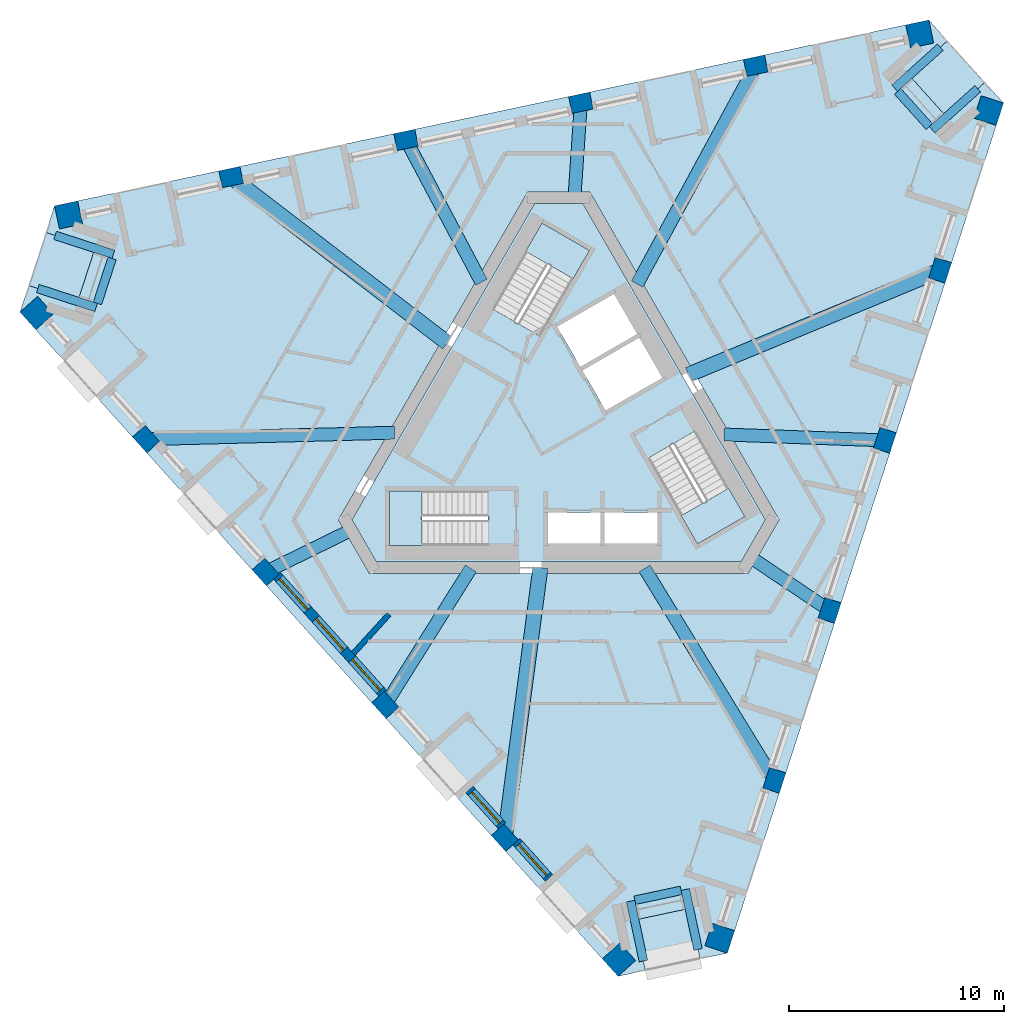
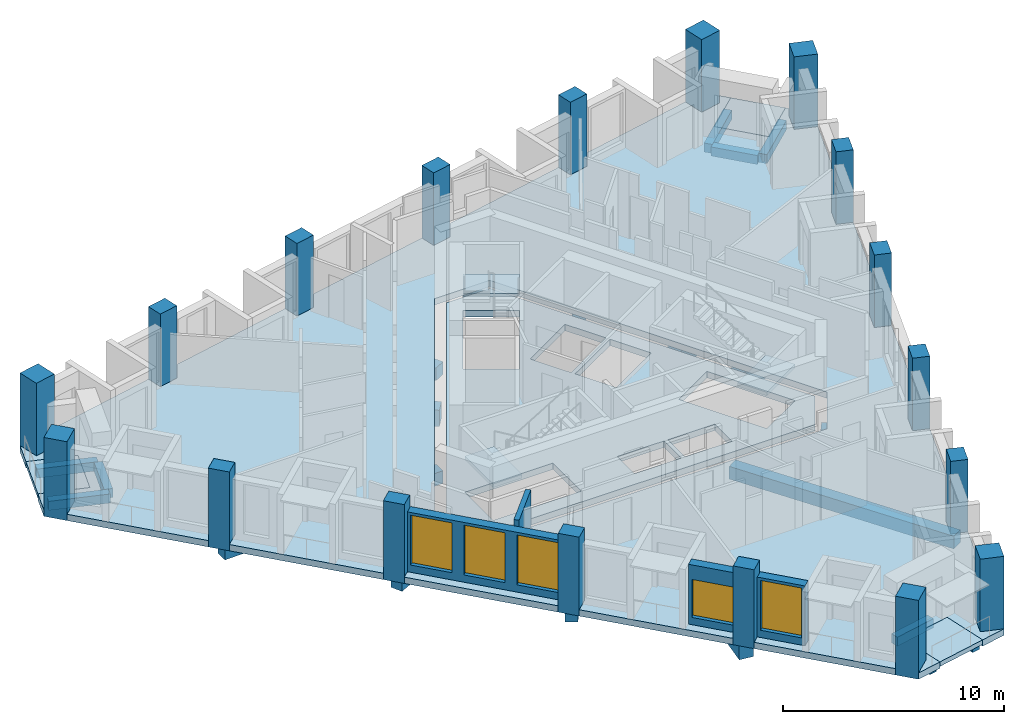
# One storey, part 1 of 12: 21 beams, 18 columns, 8 slabs, 5 windows, 4 walls, 5 openings, 3 elements without a shape of their own.
"""IFC4 building model written with IfcOpenShell, lengths in metres."""

from ifc_helpers import new_model, si_unit, direction, frame, frame_2d, origin, origin_2d, place, context, subcontext, project, spatial, polyline, rectangle, outline, extrude, material, layer, layer_set, material_profile, profile_set, type_object, element, fill, aggregate, save


model = new_model("IFC4")

# Units and contexts
model_context = context("Model", 3, precision=1e-05, world=origin(), true_north=direction((0.0, 1.0)))
body_context = subcontext(model_context, "Body", "Model", "MODEL_VIEW")
ifc_project = project(units=[si_unit("LENGTHUNIT", "METRE"), si_unit("AREAUNIT", "SQUARE_METRE"), si_unit("VOLUMEUNIT", "CUBIC_METRE"), si_unit("PLANEANGLEUNIT", "RADIAN"), si_unit("MASSUNIT", "GRAM", prefix="KILO")], contexts=[model_context])

# Site, building, storey
site_placement = place(None, origin())
site = spatial("IfcSite", under=ifc_project, at=site_placement, CompositionType="ELEMENT")
building_placement = place(site_placement, origin())
building = spatial("IfcBuilding", under=site, at=building_placement, Name="Tramontana Tower", CompositionType="ELEMENT")
storey_placement = place(building_placement, frame((0.0, 0.0, 320.39990234375)))
storey = spatial("IfcBuildingStorey", under=building, at=storey_placement, Name="L73", CompositionType="ELEMENT", Elevation=320.39990234375)

# Columns
ifc_material_1 = material(Name="Concrete 55 MPa", Category="concrete")
ifc_material_profile_1 = material_profile(ifc_material_1, rectangle(XDim=1.10009765625, YDim=1.10009765625, at=origin_2d()), Name="Mega column 1100X1100 55 MPa")
ifc_profile_set_1 = profile_set([ifc_material_profile_1], Name="Concrete 55 MPa")
column_type_1 = type_object("IfcColumnType", Name="Mega column 1100X1100 55 MPa", PredefinedType="COLUMN", material=ifc_profile_set_1)
for number, where, z_axis, x_axis, name in (
    (1, (-24.278076171875, 5.368408203125, -0.349853515625), (0.0, 0.0, 1.0), (0.669130606359, -0.743144825477, 0.0), "Mega column C8K1 L73"),
    (2, (2.80126953125, -24.706298828125, -0.349853515625), (0.0, 0.0, 1.0), (0.669130606359, -0.743144825477, 0.0), "Mega column C8K2 L73"),
    (3, (7.489990234375, -23.70947265625, -0.349853515625), (0.0, 0.0, 1.0), (0.309016994375, 0.951056516295, 0.0), "Mega column C8K3 L73"),
    (4, (19.99560546875, 14.779052734375, -0.349853515625), (0.0, 0.0, 1.0), (0.309016994375, 0.951056516295, 0.0), "Mega column C8K4 L73"),
    (5, (16.7880859375, 18.34130859375, -0.349853515625), (0.0, 0.0, 1.0), (-0.978147600734, -0.207911690818, 0.0), "Mega column C8K5 L73"),
    (6, (-22.796875, 9.92724609375, -0.349853515625), (0.0, 0.0, 1.0), (-0.978147600734, -0.207911690818, 0.0), "Mega column C8K6 L73"),
):
    element("IfcColumn", number, at=place(storey_placement, frame(where, z_axis=z_axis, x_axis=x_axis)), inside=storey, type_object=column_type_1, Name=name, PredefinedType="COLUMN", context=body_context, shape_type="SweptSolid", body=[
        extrude(rectangle(XDim=1.10009765625, YDim=1.10009765625, at=origin_2d()), origin(), (0.0, 0.0, 1.0), 4.349853515625),
    ])
ifc_material_2 = material(Name="Concrete 55 MPa", Category="concrete")
ifc_material_profile_2 = material_profile(ifc_material_2, rectangle(XDim=1.0, YDim=0.800048828125, at=origin_2d()), Name="Pier column 1000X800 55 MPa")
ifc_profile_set_2 = profile_set([ifc_material_profile_2], Name="Concrete 55 MPa")
column_type_2 = type_object("IfcColumnType", Name="Pier column 1000X800 55 MPa", PredefinedType="COLUMN", material=ifc_profile_set_2)
for number, where, z_axis, x_axis, name in (
    (7, (-19.194580078125, -0.501708984375, -0.349853515625), (0.0, 0.0, 1.0), (0.669130606359, -0.743144825477, 0.0), "Pier column C8F01 L73"),
    (8, (-13.63134765625, -6.68017578125, -0.349853515625), (0.0, 0.0, 1.0), (0.669130606359, -0.743144825477, 0.0), "Pier column C8F02 L73"),
    (9, (-8.068359375, -12.8583984375, -0.349853515625), (0.0, 0.0, 1.0), (0.669130606359, -0.743144825477, 0.0), "Pier column C8F03 L73"),
    (10, (-2.50537109375, -19.036865234375, -0.349853515625), (0.0, 0.0, 1.0), (0.669130606359, -0.743144825477, 0.0), "Pier column C8F04 L73"),
    (11, (10.03173828125, -16.3720703125, -0.349853515625), (0.0, 0.0, 1.0), (0.309016994375, 0.951056516295, 0.0), "Pier column C8F05 L73"),
    (12, (12.600830078125, -8.465087890625, -0.349853515625), (0.0, 0.0, 1.0), (0.309016994375, 0.951056516295, 0.0), "Pier column C8F06 L73"),
    (13, (15.169921875, -0.55810546875, -0.349853515625), (0.0, 0.0, 1.0), (0.309016994375, 0.951056516295, 0.0), "Pier column C8F07 L73"),
    (14, (17.739013671875, 7.348876953125, -0.349853515625), (0.0, 0.0, 1.0), (0.309016994375, 0.951056516295, 0.0), "Pier column C8F08 L73"),
    (15, (9.162841796875, 16.873779296875, -0.349853515625), (0.0, 0.0, 1.0), (-0.978147600734, -0.207911690818, 0.0), "Pier column C8F09 L73"),
    (16, (1.030517578125, 15.145263671875, -0.349853515625), (0.0, 0.0, 1.0), (-0.978147600734, -0.207911690818, 0.0), "Pier column C8F10 L73"),
    (17, (-7.1015625, 13.416748046875, -0.349853515625), (0.0, 0.0, 1.0), (-0.978147600734, -0.207911690818, 0.0), "Pier column C8F11 L73"),
    (18, (-15.233642578125, 11.688232421875, -0.349853515625), (0.0, 0.0, 1.0), (-0.978147600734, -0.207911690818, 0.0), "Pier column C8F12 L73"),
):
    element("IfcColumn", number, at=place(storey_placement, frame(where, z_axis=z_axis, x_axis=x_axis)), inside=storey, type_object=column_type_2, Name=name, PredefinedType="COLUMN", context=body_context, shape_type="SweptSolid", body=[
        extrude(rectangle(XDim=1.0, YDim=0.800048828125, at=origin_2d()), origin(), (0.0, 0.0, 1.0), 4.349853515625),
    ])

# Beams
ifc_material_3 = material(Name="Concrete 40 MPa", Category="concrete")
ifc_material_profile_3 = material_profile(ifc_material_3, rectangle(XDim=0.60009765625, YDim=0.699951171875, at=origin_2d()), Name="RC GIRDER 600X700 40 MPa")
ifc_profile_set_3 = profile_set([ifc_material_profile_3], Name="Concrete 40 MPa")
beam_type_1 = type_object("IfcBeamType", Name="RC GIRDER 600X700 40 MPa", PredefinedType="BEAM", material=ifc_profile_set_3)
beam_1_placement = place(storey_placement, frame((-19.194580078125, -0.501708984375, -0.699951171875), z_axis=(0.999658682192, 0.026125066864, 0.0), x_axis=(-0.026125066864, 0.999658682192, 0.0)))
element("IfcBeam", 19, at=beam_1_placement, inside=storey, type_object=beam_type_1, Name="Radial girder C8F01 L73", PredefinedType="BEAM", context=body_context, shape_type="SweptSolid", body=[
    extrude(rectangle(XDim=0.60009765625, YDim=0.699951171875, at=origin_2d()), origin(), (0.0, 0.0, 1.0), 11.559814453125),
])
beam_2_placement = place(storey_placement, frame((-13.63134765625, -6.68017578125, -0.699951171875), z_axis=(0.897959158445, 0.440078799496, 0.0), x_axis=(-0.440078799496, 0.897959158445, 0.0)))
element("IfcBeam", 20, at=beam_2_placement, inside=storey, type_object=beam_type_1, Name="Radial girder C8F02 L73", PredefinedType="BEAM", context=body_context, shape_type="SweptSolid", body=[
    extrude(rectangle(XDim=0.60009765625, YDim=0.699951171875, at=origin_2d()), origin(), (0.0, 0.0, 1.0), 4.4296875),
])
beam_3_placement = place(storey_placement, frame((-8.068359375, -12.8583984375, -0.699951171875), z_axis=(0.531504835363, 0.847055257929, 0.0), x_axis=(-0.847055257929, 0.531504835363, 0.0)))
element("IfcBeam", 21, at=beam_3_placement, inside=storey, type_object=beam_type_1, Name="Radial girder C8F03 L73", PredefinedType="BEAM", context=body_context, shape_type="SweptSolid", body=[
    extrude(rectangle(XDim=0.60009765625, YDim=0.699951171875, at=origin_2d()), origin(), (0.0, 0.0, 1.0), 7.486328125),
])
beam_4_placement = place(storey_placement, frame((10.03173828125, -16.3720703125, -0.699951171875), z_axis=(-0.522458548495, 0.852664685034, 0.0), x_axis=(-0.852664685034, -0.522458548495, 0.0)))
element("IfcBeam", 22, at=beam_4_placement, inside=storey, type_object=beam_type_1, Name="Radial girder C8F05 L73", PredefinedType="BEAM", context=body_context, shape_type="SweptSolid", body=[
    extrude(rectangle(XDim=0.60009765625, YDim=0.699951171875, at=origin_2d()), origin(), (0.0, 0.0, 1.0), 11.559814453125),
])
beam_5_placement = place(storey_placement, frame((12.600830078125, -8.465087890625, -0.699951171875), z_axis=(-0.830077902204, 0.557647448011, 0.0), x_axis=(-0.557647448011, -0.830077902204, 0.0)))
element("IfcBeam", 23, at=beam_5_placement, inside=storey, type_object=beam_type_1, Name="Radial girder C8F06 L73", PredefinedType="BEAM", context=body_context, shape_type="SweptSolid", body=[
    extrude(rectangle(XDim=0.60009765625, YDim=0.699951171875, at=origin_2d()), origin(), (0.0, 0.0, 1.0), 4.4296875),
])
beam_6_placement = place(storey_placement, frame((15.169921875, -0.55810546875, -0.699951171875), z_axis=(-0.999324360611, 0.036753534393, 0.0), x_axis=(-0.036753534393, -0.999324360611, 0.0)))
element("IfcBeam", 24, at=beam_6_placement, inside=storey, type_object=beam_type_1, Name="Radial girder C8F07 L73", PredefinedType="BEAM", context=body_context, shape_type="SweptSolid", body=[
    extrude(rectangle(XDim=0.60009765625, YDim=0.699951171875, at=origin_2d()), origin(), (0.0, 0.0, 1.0), 7.486328125),
])
beam_7_placement = place(storey_placement, frame((9.16259765625, 16.873779296875, -0.699951171875), z_axis=(-0.477185075818, -0.87880282397, 0.0), x_axis=(0.87880282397, -0.477185075818, 0.0)))
element("IfcBeam", 25, at=beam_7_placement, inside=storey, type_object=beam_type_1, Name="Radial girder C8F09 L73", PredefinedType="BEAM", context=body_context, shape_type="SweptSolid", body=[
    extrude(rectangle(XDim=0.60009765625, YDim=0.699951171875, at=origin_2d()), origin(), (0.0, 0.0, 1.0), 11.559814453125),
])
beam_8_placement = place(storey_placement, frame((1.030517578125, 15.145263671875, -0.699951171875), z_axis=(-0.067897965918, -0.997692270304, 0.0), x_axis=(0.997692270304, -0.067897965918, 0.0)))
element("IfcBeam", 26, at=beam_8_placement, inside=storey, type_object=beam_type_1, Name="Radial girder C8F10 L73", PredefinedType="BEAM", context=body_context, shape_type="SweptSolid", body=[
    extrude(rectangle(XDim=0.60009765625, YDim=0.699951171875, at=origin_2d()), origin(), (0.0, 0.0, 1.0), 4.429931640625),
])
beam_9_placement = place(storey_placement, frame((-7.1015625, 13.416748046875, -0.699951171875), z_axis=(0.467808305742, -0.883829954843, 0.0), x_axis=(0.883829954843, 0.467808305742, 0.0)))
element("IfcBeam", 27, at=beam_9_placement, inside=storey, type_object=beam_type_1, Name="Radial girder C8F11 L73", PredefinedType="BEAM", context=body_context, shape_type="SweptSolid", body=[
    extrude(rectangle(XDim=0.60009765625, YDim=0.699951171875, at=origin_2d()), origin(), (0.0, 0.0, 1.0), 7.486328125),
])
ifc_material_4 = material(Name="Concrete 40 MPa", Category="concrete")
ifc_material_profile_4 = material_profile(ifc_material_4, rectangle(XDim=0.699951171875, YDim=0.89990234375, at=origin_2d()), Name="RC GIRDER 700X900 40 MPa")
ifc_profile_set_4 = profile_set([ifc_material_profile_4], Name="Concrete 40 MPa")
beam_type_2 = type_object("IfcBeamType", Name="RC GIRDER 700X900 40 MPa", PredefinedType="BEAM", material=ifc_profile_set_4)
beam_10_placement = place(storey_placement, frame((-2.50537109375, -19.036865234375, -0.7998046875), z_axis=(0.130493398369, 0.991449178214, 0.0), x_axis=(-0.991449178214, 0.130493398369, 0.0)))
element("IfcBeam", 28, at=beam_10_placement, inside=storey, type_object=beam_type_2, Name="Radial girder C8F04 L73", PredefinedType="BEAM", context=body_context, shape_type="SweptSolid", body=[
    extrude(rectangle(XDim=0.699951171875, YDim=0.89990234375, at=origin_2d()), origin(), (0.0, 0.0, 1.0), 12.66796875),
])
beam_11_placement = place(storey_placement, frame((17.739013671875, 7.348876953125, -0.7998046875), z_axis=(-0.923857326556, -0.382737037885, 0.0), x_axis=(0.382737037885, -0.923857326556, 0.0)))
element("IfcBeam", 29, at=beam_11_placement, inside=storey, type_object=beam_type_2, Name="Radial girder C8F08 L73", PredefinedType="BEAM", context=body_context, shape_type="SweptSolid", body=[
    extrude(rectangle(XDim=0.699951171875, YDim=0.89990234375, at=origin_2d()), origin(), (0.0, 0.0, 1.0), 12.667724609375),
])
beam_12_placement = place(storey_placement, frame((-15.23388671875, 11.68798828125, -0.7998046875), z_axis=(0.793386383047, -0.608718364431, 0.0), x_axis=(0.608718364431, 0.793386383047, 0.0)))
element("IfcBeam", 30, at=beam_12_placement, inside=storey, type_object=beam_type_2, Name="Radial girder C8F12 L73", PredefinedType="BEAM", context=body_context, shape_type="SweptSolid", body=[
    extrude(rectangle(XDim=0.699951171875, YDim=0.89990234375, at=origin_2d()), origin(), (0.0, 0.0, 1.0), 12.66796875),
])
ifc_material_5 = material(Name="Concrete 40 MPa", Category="concrete")
ifc_material_profile_5 = material_profile(ifc_material_5, rectangle(XDim=0.39990234375, YDim=0.5, at=origin_2d()), Name="RC TRIM BEAM 400X500 40 MPa")
ifc_profile_set_5 = profile_set([ifc_material_profile_5], Name="Concrete 40 MPa")
beam_type_3 = type_object("IfcBeamType", Name="RC TRIM BEAM 400X500 40 MPa", PredefinedType="JOIST", material=ifc_profile_set_5)
beam_13_placement = place(storey_placement, frame((-20.7734375, 7.90625, -0.599853515625), z_axis=(-0.309060979314, -0.951042223598, 0.0), x_axis=(0.951042223598, -0.309060979314, 0.0)))
element("IfcBeam", 31, at=beam_13_placement, inside=storey, type_object=beam_type_3, Name="Trimmer beam K0 L73", PredefinedType="JOIST", context=body_context, shape_type="SweptSolid", body=[
    extrude(rectangle(XDim=0.39990234375, YDim=0.5, at=origin_2d()), origin(), (0.0, 0.0, 1.0), 2.199951171875),
])
for number, where, z_axis, x_axis, name in (
    (32, (-23.422119140625, 8.977294921875, -0.599853515625), (0.951063023414, -0.308996966804, 0.0), (0.308996966804, 0.951063023414, 0.0), "Tray beam K0L L73"),
    (33, (-24.2255859375, 6.50439453125, -0.599853515625), (0.951063023414, -0.308996966804, 0.0), (0.308996966804, 0.951063023414, 0.0), "Tray beam K0R L73"),
):
    element("IfcBeam", number, at=place(storey_placement, frame(where, z_axis=z_axis, x_axis=x_axis)), inside=storey, type_object=beam_type_3, Name=name, PredefinedType="JOIST", context=body_context, shape_type="SweptSolid", body=[
        extrude(rectangle(XDim=0.39990234375, YDim=0.5, at=origin_2d()), origin(), (0.0, 0.0, 1.0), 2.849853515625),
    ])
beam_14_placement = place(storey_placement, frame((3.539794921875, -21.943603515625, -0.599853515625), z_axis=(0.978135717418, 0.207967589567, 0.0), x_axis=(-0.207967589567, 0.978135717418, 0.0)))
element("IfcBeam", 34, at=beam_14_placement, inside=storey, type_object=beam_type_3, Name="Trimmer beam K1 L73", PredefinedType="JOIST", context=body_context, shape_type="SweptSolid", body=[
    extrude(rectangle(XDim=0.39990234375, YDim=0.5, at=origin_2d()), origin(), (0.0, 0.0, 1.0), 2.199951171875),
])
for number, where, z_axis, x_axis, name in (
    (35, (3.9365234375, -24.77294921875, -0.599853515625), (-0.20789666169, 0.978150795153, 0.0), (-0.978150795153, -0.20789666169, 0.0), "Tray beam K1L L73"),
    (36, (6.479736328125, -24.232421875, -0.599853515625), (-0.20789666169, 0.978150795153, 0.0), (-0.978150795153, -0.20789666169, 0.0), "Tray beam K1R L73"),
):
    element("IfcBeam", number, at=place(storey_placement, frame(where, z_axis=z_axis, x_axis=x_axis)), inside=storey, type_object=beam_type_3, Name=name, PredefinedType="JOIST", context=body_context, shape_type="SweptSolid", body=[
        extrude(rectangle(XDim=0.39990234375, YDim=0.5, at=origin_2d()), origin(), (0.0, 0.0, 1.0), 2.85009765625),
    ])
beam_15_placement = place(storey_placement, frame((17.23388671875, 14.037109375, -0.599853515625), z_axis=(-0.669130245729, 0.74314515019, 0.0), x_axis=(-0.74314515019, -0.669130245729, 0.0)))
element("IfcBeam", 37, at=beam_15_placement, inside=storey, type_object=beam_type_3, Name="Trimmer beam K2 L73", PredefinedType="JOIST", context=body_context, shape_type="SweptSolid", body=[
    extrude(rectangle(XDim=0.39990234375, YDim=0.5, at=origin_2d()), origin(), (0.0, 0.0, 1.0), 2.2001953125),
])
for number, where, z_axis, x_axis, name in (
    (38, (19.485595703125, 15.795654296875, -0.599853515625), (-0.743145042057, -0.669130365822, 0.0), (0.669130365822, -0.743145042057, 0.0), "Tray beam K2L L73"),
    (39, (17.745849609375, 17.727783203125, -0.599853515625), (-0.743145042057, -0.669130365822, 0.0), (0.669130365822, -0.743145042057, 0.0), "Tray beam K2R L73"),
):
    element("IfcBeam", number, at=place(storey_placement, frame(where, z_axis=z_axis, x_axis=x_axis)), inside=storey, type_object=beam_type_3, Name=name, PredefinedType="JOIST", context=body_context, shape_type="SweptSolid", body=[
        extrude(rectangle(XDim=0.39990234375, YDim=0.5, at=origin_2d()), origin(), (0.0, 0.0, 1.0), 2.849853515625),
    ])

# Slabs
ifc_material_6 = material(Name="Precast concrete 50 MPa", Category="concrete")
ifc_layer_1 = layer(ifc_material_6, 0.25)
ifc_layer_set_1 = layer_set([ifc_layer_1], Name="LT1 Loggia floor tray 250")
slab_type_1 = type_object("IfcSlabType", Name="LT1 Loggia floor tray 250", PredefinedType="FLOOR", material=ifc_layer_set_1)
slab_1_placement = place(storey_placement, frame((0.0, 0.0, -0.25)))
element("IfcSlab", 40, at=slab_1_placement, inside=storey, type_object=slab_type_1, Name="Corner loggia floor L73 K80", PredefinedType="FLOOR", context=body_context, shape_type="SweptSolid", body=[
    extrude(outline(polyline([(-23.85009765625, 9.1162109375), (-21.567626953125, 8.374755859375), (-22.37109375, 5.90185546875), (-24.653564453125, 6.6435546875), (-23.85009765625, 9.1162109375)])), origin(), (0.0, 0.0, 1.0), 0.25),
])
slab_2_placement = place(storey_placement, frame((0.0, 0.0, -0.25)))
element("IfcSlab", 41, at=slab_2_placement, inside=storey, type_object=slab_type_1, Name="Corner loggia floor L73 K81", PredefinedType="FLOOR", context=body_context, shape_type="SweptSolid", body=[
    extrude(outline(polyline([(4.0302734375, -25.213134765625), (3.53125, -22.865478515625), (6.074462890625, -22.324951171875), (6.5732421875, -24.67236328125), (4.0302734375, -25.213134765625)])), origin(), (0.0, 0.0, 1.0), 0.25),
])
slab_3_placement = place(storey_placement, frame((0.0, 0.0, -0.25)))
element("IfcSlab", 42, at=slab_3_placement, inside=storey, type_object=slab_type_1, Name="Corner loggia floor L73 K82", PredefinedType="FLOOR", context=body_context, shape_type="SweptSolid", body=[
    extrude(outline(polyline([(19.820068359375, 16.0966796875), (18.03662109375, 14.49072265625), (16.296875, 16.423095703125), (18.080322265625, 18.02880859375), (19.820068359375, 16.0966796875)])), origin(), (0.0, 0.0, 1.0), 0.25),
])
ifc_material_7 = material(Name="Concrete 40 MPa", Category="concrete")
ifc_layer_2 = layer(ifc_material_7, 0.35009765625)
ifc_layer_set_2 = layer_set([ifc_layer_2], Name="PT FLAT SLAB 350 40 MPa")
slab_type_2 = type_object("IfcSlabType", Name="PT FLAT SLAB 350 40 MPa", PredefinedType="FLOOR", material=ifc_layer_set_2)
slab_4_placement = place(storey_placement, frame((0.0, 0.0, -0.349853515625)))
element("IfcSlab", 43, at=slab_4_placement, inside=storey, type_object=slab_type_2, Name="Floor slab L73", PredefinedType="FLOOR", context=body_context, shape_type="SweptSolid", body=[
    extrude(outline(polyline([(18.080322265625, 18.02880859375), (16.296875, 16.423095703125), (18.03662109375, 14.49072265625), (19.820068359375, 16.0966796875), (20.688720703125, 15.132080078125), (7.843017578125, -24.402587890625), (6.5732421875, -24.672607421875), (6.074462890625, -22.324951171875), (3.53125, -22.865478515625), (4.0302734375, -25.212890625), (2.760498046875, -25.48291015625), (-25.0546875, 5.408935546875), (-24.65380859375, 6.6435546875), (-22.37109375, 5.90185546875), (-21.567626953125, 8.374755859375), (-23.85009765625, 9.1162109375), (-23.44921875, 10.350830078125), (17.211669921875, 18.99365234375), (18.080322265625, 18.02880859375)]), holes=[polyline([(-10.248046875, -4.25), (-8.8046875, -6.75), (8.8046875, -6.75), (10.248046875, -4.25), (1.443359375, 11.0), (-1.443359375, 11.0), (-10.248046875, -4.25)])]), origin(), (0.0, 0.0, 1.0), 0.349853515625),
])
slab_5_placement = place(storey_placement, frame((0.0, 0.0, -0.349853515625)))
element("IfcSlab", 44, at=slab_5_placement, inside=storey, type_object=slab_type_2, Name="Core floor slab L73", PredefinedType="FLOOR", context=body_context, shape_type="SweptSolid", body=[
    extrude(outline(polyline([(9.61279296875, -4.25), (8.487060546875, -6.199951171875), (-8.487060546875, -6.199951171875), (-9.61279296875, -4.25), (-1.125732421875, 10.449951171875), (1.125732421875, 10.449951171875), (9.61279296875, -4.25)]), holes=[polyline([(8.659912109375, -4.099365234375), (6.35986328125, -0.115478515625), (4.151611328125, -1.390625), (6.451416015625, -5.374267578125), (8.659912109375, -4.099365234375)]), polyline([(3.829833984375, 4.2666015625), (1.101806640625, 2.69140625), (2.177001953125, 0.82958984375), (4.90478515625, 2.404541015625), (3.829833984375, 4.2666015625)]), polyline([(4.590087890625, -3.89990234375), (2.139892578125, -3.89990234375), (2.139892578125, -5.449951171875), (4.590087890625, -5.449951171875), (4.590087890625, -3.89990234375)]), polyline([(2.65478515625, 6.3017578125), (-0.072998046875, 4.726806640625), (1.001953125, 2.86474609375), (3.729736328125, 4.439697265625), (2.65478515625, 6.3017578125)]), polyline([(1.93994140625, -5.449951171875), (1.93994140625, -3.89990234375), (-0.510009765625, -3.89990234375), (-0.510009765625, -5.449951171875), (1.93994140625, -5.449951171875)]), polyline([(-0.77978515625, 9.54931640625), (-3.079833984375, 5.565673828125), (-0.87158203125, 4.29052734375), (1.428466796875, 8.2744140625), (-0.77978515625, 9.54931640625)]), polyline([(-7.8798828125, -5.449951171875), (-3.280029296875, -5.449951171875), (-3.280029296875, -2.89990234375), (-7.8798828125, -2.89990234375), (-7.8798828125, -5.449951171875)])]), origin(), (0.0, 0.0, 1.0), 0.349853515625),
])

# Stair, slab
ifc_material_8 = material(Name="Concrete 40 MPa", Category="concrete")
stair_type = type_object("IfcStairType", Name="EXIT STAIR 24 RISERS", PredefinedType="HALF_TURN_STAIR", material=ifc_material_8)
stair_1_placement = place(storey_placement, origin())
stair_1 = element("IfcStair", 45, at=stair_1_placement, inside=storey, type_object=stair_type, Name="L73 Exit stair ST1", PredefinedType="HALF_TURN_STAIR")
ifc_material_9 = material(Name="Concrete 40 MPa", Category="concrete")
ifc_layer_3 = layer(ifc_material_9, 0.199951171875)
ifc_layer_set_3 = layer_set([ifc_layer_3], Name="STAIR LANDING 200")
slab_type_3 = type_object("IfcSlabType", Name="STAIR LANDING 200", PredefinedType="LANDING", material=ifc_layer_set_3)
slab_6_placement = place(storey_placement, frame((0.0, 0.0, 1.800048828125)))
slab_6 = element("IfcSlab", 46, at=slab_6_placement, type_object=slab_type_3, Name="ST1 landing 1", PredefinedType="LANDING", context=body_context, shape_type="SweptSolid", body=[
    extrude(outline(polyline([(0.66845703125, 6.9580078125), (1.428466796875, 8.274169921875), (-0.77978515625, 9.54931640625), (-1.539794921875, 8.23291015625), (0.66845703125, 6.9580078125)])), origin(), (0.0, 0.0, 1.0), 0.199951171875),
])
aggregate(stair_1, [slab_6])

stair_2_placement = place(storey_placement, origin())
stair_2 = element("IfcStair", 47, at=stair_2_placement, inside=storey, type_object=stair_type, Name="L73 Exit stair ST2", PredefinedType="HALF_TURN_STAIR")
slab_7_placement = place(storey_placement, frame((0.0, 0.0, 1.800048828125)))
slab_7 = element("IfcSlab", 48, at=slab_7_placement, type_object=slab_type_3, Name="ST2 landing 1", PredefinedType="LANDING", context=body_context, shape_type="SweptSolid", body=[
    extrude(outline(polyline([(-6.360107421875, -2.89990234375), (-7.8798828125, -2.89990234375), (-7.8798828125, -5.449951171875), (-6.360107421875, -5.449951171875), (-6.360107421875, -2.89990234375)])), origin(), (0.0, 0.0, 1.0), 0.199951171875),
])
aggregate(stair_2, [slab_7])

stair_3_placement = place(storey_placement, origin())
stair_3 = element("IfcStair", 49, at=stair_3_placement, inside=storey, type_object=stair_type, Name="L73 Exit stair ST3", PredefinedType="HALF_TURN_STAIR")
slab_8_placement = place(storey_placement, frame((0.0, 0.0, 1.800048828125)))
slab_8 = element("IfcSlab", 50, at=slab_8_placement, type_object=slab_type_3, Name="ST3 landing 1", PredefinedType="LANDING", context=body_context, shape_type="SweptSolid", body=[
    extrude(outline(polyline([(5.69140625, -4.057861328125), (6.451416015625, -5.374267578125), (8.659912109375, -4.099365234375), (7.89990234375, -2.782958984375), (5.69140625, -4.057861328125)])), origin(), (0.0, 0.0, 1.0), 0.199951171875),
])
aggregate(stair_3, [slab_8])

# Wall, openings, windows
ifc_material_10 = material(Name="Precast concrete 60 MPa", Category="concrete")
ifc_layer_4 = layer(ifc_material_10, 0.449951171875)
ifc_layer_set_4 = layer_set([ifc_layer_4], Name="Precast concrete 60 MPa, 450 mm")
wall_type_1 = type_object("IfcWallType", Name="EW1 Stone-faced precast wall 450", PredefinedType="SOLIDWALL", material=ifc_layer_set_4)
wall_1_placement = place(storey_placement, frame((-13.092529296875, -6.86767578125, 0.0), z_axis=(0.0, 0.0, 1.0), x_axis=(0.669136224502, -0.74313976684, 0.0)))
wall_1 = element("IfcWall", 51, at=wall_1_placement, inside=storey, type_object=wall_type_1, Name="External wall L73 face 0 bay 3", PredefinedType="SOLIDWALL", context=body_context, shape_type="SweptSolid", body=[
    extrude(rectangle(XDim=7.31396484375, YDim=0.449951171875, at=frame_2d((3.656982421875, 0.0))), origin(), (0.0, 0.0, 1.0), 3.300048828125),
])
opening_1_placement = place(wall_1_placement, frame((0.16064453125, 0.0, 0.39990234375)))
opening_1 = element("IfcOpeningElement", 52, at=opening_1_placement, cuts=wall_1, Name="Opening M3", PredefinedType="OPENING", context=body_context, shape_type="SweptSolid", body=[
    extrude(rectangle(XDim=1.949951171875, YDim=2.75, at=frame_2d((0.97509765625, 1.375))), frame((0.0, 0.23486328125, 0.0), z_axis=(0.0, -1.0, 0.0), x_axis=(1.0, 0.0, 0.0)), (0.0, 0.0, 1.0), 0.469970703125),
])
opening_2_placement = place(wall_1_placement, frame((2.681884765625, 0.0, 0.39990234375)))
opening_2 = element("IfcOpeningElement", 53, at=opening_2_placement, cuts=wall_1, Name="Opening M3", PredefinedType="OPENING", context=body_context, shape_type="SweptSolid", body=[
    extrude(rectangle(XDim=1.949951171875, YDim=2.75, at=frame_2d((0.97509765625, 1.375))), frame((0.0, 0.23486328125, 0.0), z_axis=(0.0, -1.0, 0.0), x_axis=(1.0, 0.0, 0.0)), (0.0, 0.0, 1.0), 0.469970703125),
])
opening_3_placement = place(wall_1_placement, frame((5.203125, 0.0, 0.39990234375)))
opening_3 = element("IfcOpeningElement", 54, at=opening_3_placement, cuts=wall_1, Name="Opening M3", PredefinedType="OPENING", context=body_context, shape_type="SweptSolid", body=[
    extrude(rectangle(XDim=1.949951171875, YDim=2.75, at=frame_2d((0.97509765625, 1.375))), frame((0.0, 0.23486328125, 0.0), z_axis=(0.0, -1.0, 0.0), x_axis=(1.0, 0.0, 0.0)), (0.0, 0.0, 1.0), 0.469970703125),
])
ifc_material_11 = material(Name="Aluminum frame, double glazing unit", Category="aluminium")
window_type_1 = type_object("IfcWindowType", Name="M3 Window 1.95 x 2.75", PartitioningType="SINGLE_PANEL", PredefinedType="WINDOW", material=ifc_material_11)
window_1_placement = place(opening_1_placement, origin())
window_1 = element("IfcWindow", 55, at=window_1_placement, inside=storey, type_object=window_type_1, Name="Window M3 L73 face 0 module 7", OverallHeight=2.75, OverallWidth=1.949951171875, PartitioningType="SINGLE_PANEL", PredefinedType="WINDOW", context=body_context, shape_type="SweptSolid", body=[
    extrude(rectangle(XDim=1.949951171875, YDim=2.75, at=frame_2d((0.97509765625, 1.375))), frame((0.0, 0.030029296875, 0.0), z_axis=(0.0, -1.0, 0.0), x_axis=(1.0, 0.0, 0.0)), (0.0, 0.0, 1.0), 0.06005859375),
])
fill(opening_1, window_1)
window_2_placement = place(opening_2_placement, origin())
window_2 = element("IfcWindow", 56, at=window_2_placement, inside=storey, type_object=window_type_1, Name="Window M3 L73 face 0 module 8", OverallHeight=2.75, OverallWidth=1.949951171875, PartitioningType="SINGLE_PANEL", PredefinedType="WINDOW", context=body_context, shape_type="SweptSolid", body=[
    extrude(rectangle(XDim=1.949951171875, YDim=2.75, at=frame_2d((0.97509765625, 1.375))), frame((0.0, 0.030029296875, 0.0), z_axis=(0.0, -1.0, 0.0), x_axis=(1.0, 0.0, 0.0)), (0.0, 0.0, 1.0), 0.06005859375),
])
fill(opening_2, window_2)
window_3_placement = place(opening_3_placement, origin())
window_3 = element("IfcWindow", 57, at=window_3_placement, inside=storey, type_object=window_type_1, Name="Window M3 L73 face 0 module 9", OverallHeight=2.75, OverallWidth=1.949951171875, PartitioningType="SINGLE_PANEL", PredefinedType="WINDOW", context=body_context, shape_type="SweptSolid", body=[
    extrude(rectangle(XDim=1.949951171875, YDim=2.75, at=frame_2d((0.97509765625, 1.375))), frame((0.0, 0.030029296875, 0.0), z_axis=(0.0, -1.0, 0.0), x_axis=(1.0, 0.0, 0.0)), (0.0, 0.0, 1.0), 0.06005859375),
])
fill(opening_3, window_3)

# Wall, opening, window
wall_2_placement = place(storey_placement, frame((-4.1552734375, -16.79345703125, 0.0), z_axis=(0.0, 0.0, 1.0), x_axis=(0.669160694992, -0.743117732447, 0.0)))
wall_2 = element("IfcWall", 58, at=wall_2_placement, inside=storey, type_object=wall_type_1, Name="External wall L73 face 0 bay 4", PredefinedType="SOLIDWALL", context=body_context, shape_type="SweptSolid", body=[
    extrude(rectangle(XDim=2.271240234375, YDim=0.449951171875, at=frame_2d((1.1357421875, 0.0))), origin(), (0.0, 0.0, 1.0), 3.300048828125),
])
opening_4_placement = place(wall_2_placement, frame((0.16064453125, 0.0, 0.39990234375)))
opening_4 = element("IfcOpeningElement", 59, at=opening_4_placement, cuts=wall_2, Name="Opening M3L", PredefinedType="OPENING", context=body_context, shape_type="SweptSolid", body=[
    extrude(rectangle(XDim=1.949951171875, YDim=2.10009765625, at=frame_2d((0.97509765625, 1.050048828125))), frame((0.0, 0.23486328125, 0.0), z_axis=(0.0, -1.0, 0.0), x_axis=(1.0, 0.0, 0.0)), (0.0, 0.0, 1.0), 0.469970703125),
])
ifc_material_12 = material(Name="Aluminum frame, double glazing unit", Category="aluminium")
window_type_2 = type_object("IfcWindowType", Name="M3L Window 1.95 x 2.1", PartitioningType="SINGLE_PANEL", PredefinedType="WINDOW", material=ifc_material_12)
window_4_placement = place(opening_4_placement, origin())
window_4 = element("IfcWindow", 60, at=window_4_placement, inside=storey, type_object=window_type_2, Name="Window M3L L73 face 0 module 12", OverallHeight=2.10009765625, OverallWidth=1.949951171875, PartitioningType="SINGLE_PANEL", PredefinedType="WINDOW", context=body_context, shape_type="SweptSolid", body=[
    extrude(rectangle(XDim=1.949951171875, YDim=2.10009765625, at=frame_2d((0.97509765625, 1.050048828125))), frame((0.0, 0.030029296875, 0.0), z_axis=(0.0, -1.0, 0.0), x_axis=(1.0, 0.0, 0.0)), (0.0, 0.0, 1.0), 0.06005859375),
])
fill(opening_4, window_4)

wall_3_placement = place(storey_placement, frame((-1.96630859375, -19.224365234375, 0.0), z_axis=(0.0, 0.0, 1.0), x_axis=(0.669107243666, -0.743165860676, 0.0)))
wall_3 = element("IfcWall", 61, at=wall_3_placement, inside=storey, type_object=wall_type_1, Name="External wall L73 face 0 bay 5", PredefinedType="SOLIDWALL", context=body_context, shape_type="SweptSolid", body=[
    extrude(rectangle(XDim=2.271240234375, YDim=0.449951171875, at=frame_2d((1.1357421875, 0.0))), origin(), (0.0, 0.0, 1.0), 3.300048828125),
])
opening_5_placement = place(wall_3_placement, frame((0.16064453125, 0.0, 0.39990234375)))
opening_5 = element("IfcOpeningElement", 62, at=opening_5_placement, cuts=wall_3, Name="Opening M3", PredefinedType="OPENING", context=body_context, shape_type="SweptSolid", body=[
    extrude(rectangle(XDim=1.949951171875, YDim=2.75, at=frame_2d((0.97509765625, 1.375))), frame((0.0, 0.23486328125, 0.0), z_axis=(0.0, -1.0, 0.0), x_axis=(1.0, 0.0, 0.0)), (0.0, 0.0, 1.0), 0.469970703125),
])
window_5_placement = place(opening_5_placement, origin())
window_5 = element("IfcWindow", 63, at=window_5_placement, inside=storey, type_object=window_type_1, Name="Window M3 L73 face 0 module 13", OverallHeight=2.75, OverallWidth=1.949951171875, PartitioningType="SINGLE_PANEL", PredefinedType="WINDOW", context=body_context, shape_type="SweptSolid", body=[
    extrude(rectangle(XDim=1.949951171875, YDim=2.75, at=frame_2d((0.97509765625, 1.375))), frame((0.0, 0.030029296875, 0.0), z_axis=(0.0, -1.0, 0.0), x_axis=(1.0, 0.0, 0.0)), (0.0, 0.0, 1.0), 0.06005859375),
])
fill(opening_5, window_5)

# Wall
ifc_material_13 = material(Name="Blockwork", Category="masonry")
ifc_layer_5 = layer(ifc_material_13, 0.25)
ifc_layer_set_5 = layer_set([ifc_layer_5], Name="PARTY WALL 250")
wall_type_2 = type_object("IfcWallType", Name="PARTY WALL 250", PredefinedType="SOLIDWALL", material=ifc_layer_set_5)
wall_4_placement = place(storey_placement, frame((-7.89501953125, -8.650146484375, 0.0), z_axis=(0.0, 0.0, 1.0), x_axis=(-0.674170376645, -0.738575861543, 0.0)))
element("IfcWall", 64, at=wall_4_placement, inside=storey, type_object=wall_type_2, Name="Wall v80-pw09", PredefinedType="SOLIDWALL", context=body_context, shape_type="SweptSolid", body=[
    extrude(rectangle(XDim=2.456298828125, YDim=0.25, at=frame_2d((1.22802734375, 0.0))), origin(), (0.0, 0.0, 1.0), 3.650146484375),
])

save(model, "model.ifc")
